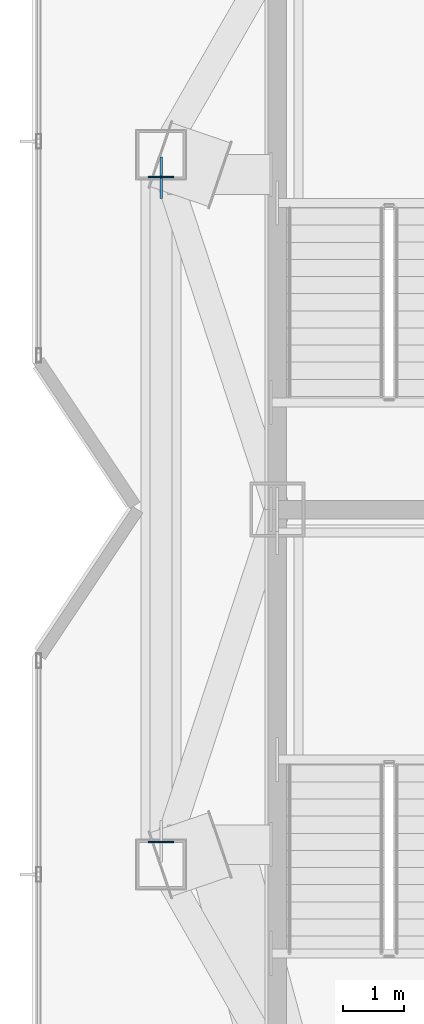
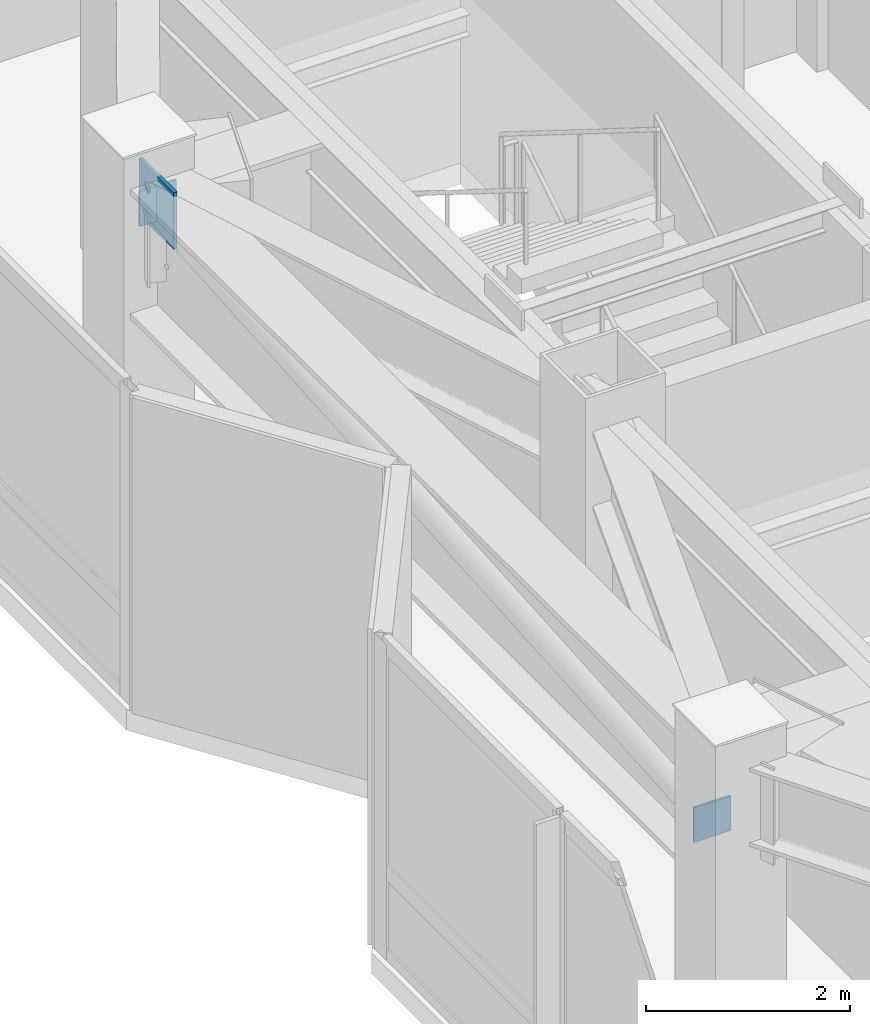
# One storey, part 8 of 15: 3 plates.
"""IFC4 building model written with IfcOpenShell, lengths in metres."""

import ifcopenshell
import ifcopenshell.guid

model = None  # the IFC model being written
_history = None  # IfcOwnerHistory: only IFC2X3 demands one
_inside = {}  # id of a spatial element -> (the spatial element, [elements in it])
_under = {}  # id of a project, library or spatial element -> (it, [spatial elements below it])
_declared = {}  # id of a project -> (the project, [libraries it declares])
_typed = {}  # id of a type object -> (the type object, [elements of that type])
_made_of = {}  # id of a material, layer set ... -> (it, [elements and type objects made of it])


def new_model(schema):
    """Start an empty IFC model of exactly this schema.

    Asked for "IFC4X3", IfcOpenShell would pick the latest addendum, in which some entities
    have other attributes; the version numbers below select the first issue.
    IFC2X3 requires an IfcOwnerHistory on every rooted entity: one is made here for all.
    """
    global model, _history
    if schema == "IFC4X3":
        model = ifcopenshell.file(schema_version=(4, 3, 0, 0))
    else:
        model = ifcopenshell.file(schema=schema)
    _inside.clear()
    _under.clear()
    _declared.clear()
    _typed.clear()
    _made_of.clear()
    _history = None
    if model.schema == "IFC2X3":
        org = make("IfcOrganization", Name="unknown")
        user = make(
            "IfcPersonAndOrganization",
            ThePerson=make("IfcPerson", FamilyName="unknown"),
            TheOrganization=org,
        )
        app = make(
            "IfcApplication",
            ApplicationDeveloper=org,
            Version="unknown",
            ApplicationFullName="unknown",
            ApplicationIdentifier="unknown",
        )
        _history = make(
            "IfcOwnerHistory",
            OwningUser=user,
            OwningApplication=app,
            ChangeAction="ADDED",
            CreationDate=0,
        )
    return model


def make(cls, **values):
    """One entity of the class cls with the attributes given. An attribute that is None is left unset."""
    return model.create_entity(
        cls, **{name: value for name, value in values.items() if value is not None}
    )


def rooted(cls, **values):
    """An entity with a GlobalId (a new one), such as an element, a storey or a relation."""
    return make(cls, GlobalId=ifcopenshell.guid.new(), OwnerHistory=_history, **values)


def si_unit(unit_type, name, prefix=None):
    """IfcSIUnit, for example si_unit("LENGTHUNIT", "METRE", prefix="MILLI")."""
    return make("IfcSIUnit", UnitType=unit_type, Prefix=prefix, Name=name)


def assignment(units):
    """IfcUnitAssignment: the units of a project."""
    return None if units is None else make("IfcUnitAssignment", Units=units)


def point(xyz):
    """IfcCartesianPoint."""
    return None if xyz is None else make("IfcCartesianPoint", Coordinates=xyz)


def direction(xyz):
    """IfcDirection."""
    return None if xyz is None else make("IfcDirection", DirectionRatios=xyz)


def frame(location, z_axis=None, x_axis=None):
    """IfcAxis2Placement3D, a coordinate frame: its origin and axes. An axis left out is left unset."""
    return make(
        "IfcAxis2Placement3D",
        Location=point(location),
        Axis=direction(z_axis),
        RefDirection=direction(x_axis),
    )


def frame_2d(location, x_axis=None):
    """IfcAxis2Placement2D, a coordinate frame in the plane: its origin and x axis."""
    return make(
        "IfcAxis2Placement2D", Location=point(location), RefDirection=direction(x_axis)
    )


def origin():
    """The frame at (0, 0, 0) with its axes left unset."""
    return frame((0.0, 0.0, 0.0))


def origin_2d():
    """The frame at (0, 0) in the plane with its x axis left unset."""
    return frame_2d((0.0, 0.0))


def place(relative_to, where):
    """IfcLocalPlacement: puts the frame where relative to a parent placement (None: the world)."""
    return make(
        "IfcLocalPlacement", PlacementRelTo=relative_to, RelativePlacement=where
    )


def context(
    kind, dimensions, precision=None, world=None, true_north=None, identifier=None
):
    """IfcGeometricRepresentationContext, for example the 3D "Model" context."""
    return make(
        "IfcGeometricRepresentationContext",
        ContextIdentifier=identifier,
        ContextType=kind,
        CoordinateSpaceDimension=dimensions,
        Precision=precision,
        WorldCoordinateSystem=world,
        TrueNorth=true_north,
    )


def subcontext(parent, identifier, kind, view, scale=None):
    """IfcGeometricRepresentationSubContext, for example "Body" below "Model"."""
    return make(
        "IfcGeometricRepresentationSubContext",
        ContextIdentifier=identifier,
        ContextType=kind,
        ParentContext=parent,
        TargetScale=scale,
        TargetView=view,
    )


def project(units=None, contexts=None):
    """IfcProject with its units and contexts."""
    return rooted(
        "IfcProject",
        Name="project",
        RepresentationContexts=contexts,
        UnitsInContext=assignment(units),
    )


def spatial(cls, under=None, at=None, **own):
    """A site, building, storey or space (cls), placed at a placement, below another one or the project."""
    s = rooted(cls, ObjectPlacement=at, **own)
    if under is not None:
        _under.setdefault(under.id(), (under, []))[1].append(s)
    return s


def profile(cls, at=None, kind="AREA", **sizes):
    """A parametric profile (cls). Its sizes go by their IFC names, for example OverallWidth=200.0."""
    return make(cls, ProfileType=kind, Position=at, **sizes)


def rectangle(**sizes):
    """IfcRectangleProfileDef."""
    return profile("IfcRectangleProfileDef", **sizes)


def extrude(swept, where, along, depth):
    """IfcExtrudedAreaSolid: the profile swept, set in the frame where, extruded along a direction by depth."""
    return make(
        "IfcExtrudedAreaSolid",
        SweptArea=swept,
        Position=where,
        ExtrudedDirection=direction(along),
        Depth=depth,
    )


def shape(context_of_items, identifier, shape_type, items):
    """IfcShapeRepresentation: the items that make up one representation, for example the "Body"."""
    return make(
        "IfcShapeRepresentation",
        ContextOfItems=context_of_items,
        RepresentationIdentifier=identifier,
        RepresentationType=shape_type,
        Items=items,
    )


def material(Name=None, Category=None):
    """IfcMaterial."""
    return make("IfcMaterial", Name=Name, Category=Category)


def layer(
    of_material, thickness, ventilated=None, Name=None, Category=None, Priority=None
):
    """IfcMaterialLayer: one layer of a wall or slab, of a material (None: an air gap)."""
    return make(
        "IfcMaterialLayer",
        Material=of_material,
        LayerThickness=thickness,
        IsVentilated=ventilated,
        Name=Name,
        Category=Category,
        Priority=Priority,
    )


def layer_set(layers, Name=None):
    """IfcMaterialLayerSet."""
    return make("IfcMaterialLayerSet", MaterialLayers=layers, LayerSetName=Name)


def made_of(thing, what):
    """Note that an element or type object is made of a material, layer set ...; save() writes the relation."""
    if what is not None:
        _made_of.setdefault(what.id(), (what, []))[1].append(thing)
    return thing


def type_object(cls, material=None, **own):
    """A type object (cls), such as IfcWallType, which elements share."""
    return made_of(rooted(cls, **own), material)


def element(
    cls,
    number,
    at=None,
    inside=None,
    cuts=None,
    type_object=None,
    material=None,
    context=None,
    identifier="Body",
    shape_type=None,
    held_by="IfcProductDefinitionShape",
    body=None,
    shapes=None,
    **own,
):
    """One element of the class cls, such as IfcWall. Its Tag is "e" and its number.

    at: its placement. inside: the storey or other place that contains it. cuts: it is an
    opening in that element (IfcRelVoidsElement). A single representation is given by context,
    identifier, shape_type and body (its items); several are given by shapes. held_by: the class
    of the entity that holds the representations. save() writes the other relations.
    """
    e = rooted(cls, Tag="e%d" % number, ObjectPlacement=at, **own)
    if body is not None:
        shapes = [shape(context, identifier, shape_type, body)]
    if shapes is not None:
        e.Representation = make(held_by, Representations=shapes)
    if inside is not None:
        _inside.setdefault(inside.id(), (inside, []))[1].append(e)
    if cuts is not None:
        rooted(
            "IfcRelVoidsElement", RelatingBuildingElement=cuts, RelatedOpeningElement=e
        )
    if type_object is not None:
        _typed.setdefault(type_object.id(), (type_object, []))[1].append(e)
    return made_of(e, material)


def aggregate(whole, parts):
    """IfcRelAggregates: a whole, such as a stair, and the parts it consists of."""
    return rooted("IfcRelAggregates", RelatingObject=whole, RelatedObjects=parts)


def save(model, path):
    """Write the relations noted so far, then the file.

    IfcRelAggregates (storeys below a building ...), IfcRelContainedInSpatialStructure (elements
    in a storey), IfcRelDefinesByType, IfcRelAssociatesMaterial and IfcRelDeclares: one each for
    every whole, place, type object, material and project.
    """
    for whole, parts in _under.values():
        aggregate(whole, parts)
    for where, things in _inside.values():
        rooted(
            "IfcRelContainedInSpatialStructure",
            RelatedElements=things,
            RelatingStructure=where,
        )
    for kind, things in _typed.values():
        rooted("IfcRelDefinesByType", RelatedObjects=things, RelatingType=kind)
    for what, things in _made_of.values():
        rooted("IfcRelAssociatesMaterial", RelatedObjects=things, RelatingMaterial=what)
    for by, libraries in _declared.values():
        rooted("IfcRelDeclares", RelatingContext=by, RelatedDefinitions=libraries)
    model.write(path)


model = new_model("IFC4")

# Units and contexts
model_context = context("Model", 3, precision=1e-05, world=origin(), true_north=direction((0.0, 1.0)))
body_context = subcontext(model_context, "Body", "Model", "MODEL_VIEW")
ifc_project = project(units=[si_unit("LENGTHUNIT", "METRE"), si_unit("AREAUNIT", "SQUARE_METRE"), si_unit("VOLUMEUNIT", "CUBIC_METRE"), si_unit("PLANEANGLEUNIT", "RADIAN"), si_unit("MASSUNIT", "GRAM", prefix="KILO")], contexts=[model_context])

# Site, building, storey
site_placement = place(None, origin())
site = spatial("IfcSite", under=ifc_project, at=site_placement, CompositionType="ELEMENT")
building_placement = place(site_placement, origin())
building = spatial("IfcBuilding", under=site, at=building_placement, Name="Khamvora Tower", CompositionType="ELEMENT")
storey_placement = place(building_placement, frame((0.0, 0.0, 290.449951171875)))
storey = spatial("IfcBuildingStorey", under=building, at=storey_placement, Name="L74", CompositionType="ELEMENT", Elevation=290.449951171875)

# Plates
ifc_material_1 = material(Name="Steel S355", Category="steel")
ifc_layer_1 = layer(ifc_material_1, 0.02490234375)
ifc_layer_set_1 = layer_set([ifc_layer_1], Name="Steel S355")
plate_type_1 = type_object("IfcPlateType", Name="PL-CAP-25", PredefinedType="SHEET", material=ifc_layer_set_1)
for number, where, z_axis, x_axis, name in (
    (1, (27.10009765625, 22.56689453125, 2.498046875), (0.0, 0.0, 1.0), (0.0, 1.0, 0.0), "L74 hollow section steel end cap plate 1277"),
    (2, (27.10009765625, 33.43310546875, 3.280029296875), (0.0, 0.0, 1.0), (0.0, 1.0, 0.0), "L74 hollow section steel end cap plate 1278"),
):
    element("IfcPlate", number, at=place(storey_placement, frame(where, z_axis=z_axis, x_axis=x_axis)), inside=storey, type_object=plate_type_1, Name=name, PredefinedType="SHEET", context=body_context, shape_type="SweptSolid", body=[
        extrude(rectangle(XDim=0.02490234375, YDim=0.416015625, at=origin_2d()), origin(), (0.0, 0.0, 1.0), 0.416015625),
    ])
ifc_material_2 = material(Name="Steel S460", Category="steel")
ifc_layer_2 = layer(ifc_material_2, 0.0400390625)
ifc_layer_set_2 = layer_set([ifc_layer_2], Name="Steel S460")
plate_type_2 = type_object("IfcPlateType", Name="PLT-GUS-40", PredefinedType="SHEET", material=ifc_layer_set_2)
plate_placement = place(storey_placement, frame((27.10009765625, 33.4208984375, 3.14697265625), z_axis=(0.0, 0.0, 1.0), x_axis=(0.0, 1.0, 0.0)))
element("IfcPlate", 3, at=plate_placement, inside=storey, type_object=plate_type_2, Name="L74 brace connection node gusset plate 0454", PredefinedType="SHEET", context=body_context, shape_type="SweptSolid", body=[
    extrude(rectangle(XDim=0.679931640625, YDim=0.0400390625, at=origin_2d()), origin(), (0.0, 0.0, 1.0), 0.679931640625),
])

save(model, "model.ifc")
